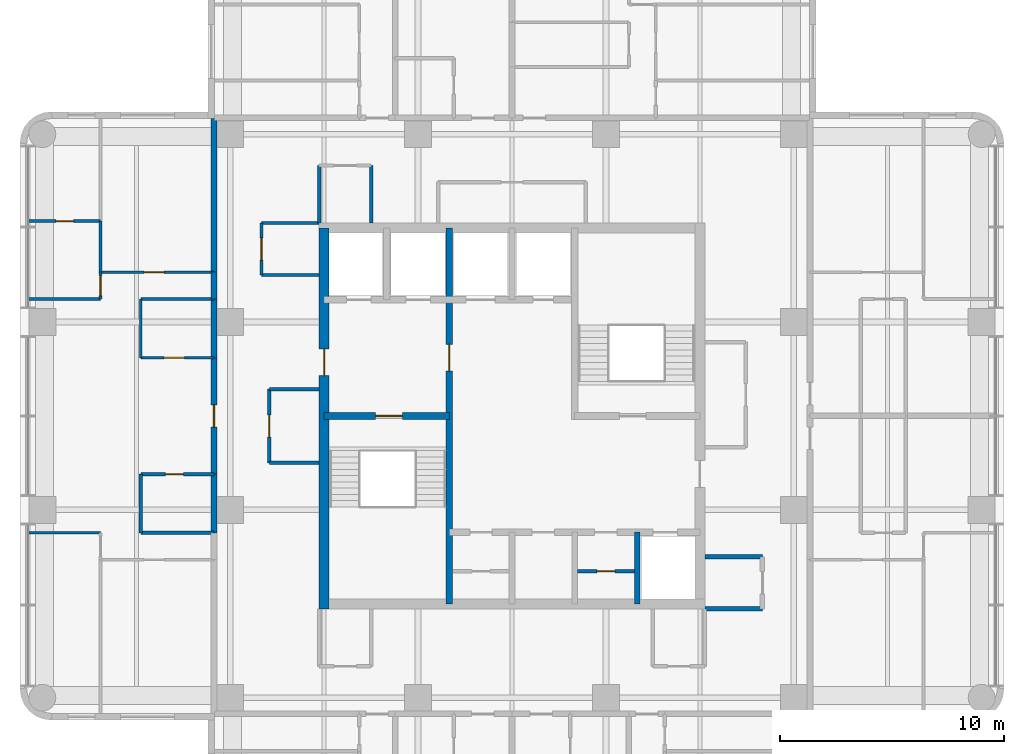
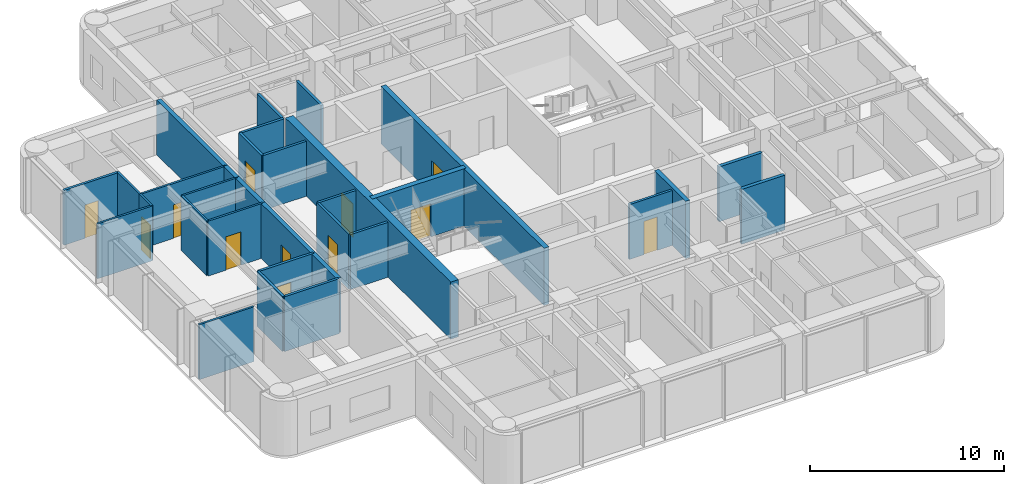
# One storey, part 5 of 10: 32 walls, 12 doors, 12 openings.
"""IFC4 building model written with IfcOpenShell, lengths in metres."""

from ifc_helpers import new_model, si_unit, direction, frame, frame_2d, origin, place, context, subcontext, project, spatial, rectangle, extrude, material, layer, layer_set, type_object, element, fill, save


model = new_model("IFC4")

# Units and contexts
model_context = context("Model", 3, precision=1e-05, world=origin(), true_north=direction((0.0, 1.0)))
body_context = subcontext(model_context, "Body", "Model", "MODEL_VIEW")
ifc_project = project(units=[si_unit("LENGTHUNIT", "METRE"), si_unit("AREAUNIT", "SQUARE_METRE"), si_unit("VOLUMEUNIT", "CUBIC_METRE"), si_unit("PLANEANGLEUNIT", "RADIAN"), si_unit("MASSUNIT", "GRAM", prefix="KILO")], contexts=[model_context])

# Site, building, storey
site_placement = place(None, origin())
site = spatial("IfcSite", under=ifc_project, at=site_placement, CompositionType="ELEMENT")
building_placement = place(site_placement, origin())
building = spatial("IfcBuilding", under=site, at=building_placement, Name="Torre Alcanfor", CompositionType="ELEMENT")
storey_placement = place(building_placement, frame((0.0, 0.0, 279.300048828125)))
storey = spatial("IfcBuildingStorey", under=building, at=storey_placement, Name="L73", CompositionType="ELEMENT", Elevation=279.300048828125)

# Wall, opening, door
ifc_material_1 = material(Name="Concrete block masonry, hollow blocks NMX-C-404 9 MPa", Category="masonry")
ifc_layer_1 = layer(ifc_material_1, 0.25)
ifc_layer_set_1 = layer_set([ifc_layer_1], Name="Apartment entrance wall 250 EI 60")
wall_type_1 = type_object("IfcWallType", Name="Apartment entrance wall 250 EI 60", PredefinedType="PARTITIONING", material=ifc_layer_set_1)
wall_1_placement = place(storey_placement, frame((16.074951171875, 26.800048828125, 0.0), z_axis=(0.0, 0.0, 1.0), x_axis=(0.0, 1.0, 0.0)))
wall_1 = element("IfcWall", 1, at=wall_1_placement, inside=storey, type_object=wall_type_1, Name="Partition L73-CORR / L73-WX-ZAG", PredefinedType="PARTITIONING", context=body_context, shape_type="SweptSolid", body=[
    extrude(rectangle(XDim=5.199951171875, YDim=0.25, at=frame_2d((2.60009765625, 0.0))), origin(), (0.0, 0.0, 1.0), 3.449951171875),
])
opening_1_placement = place(wall_1_placement, frame((2.10009765625, 0.0, 0.0)))
opening_1 = element("IfcOpeningElement", 2, at=opening_1_placement, cuts=wall_1, Name="Opening D-A1", PredefinedType="OPENING", context=body_context, shape_type="SweptSolid", body=[
    extrude(rectangle(XDim=1.0, YDim=2.10009765625, at=frame_2d((0.5, 1.050048828125))), frame((0.0, 0.135009765625, 0.0), z_axis=(0.0, -1.0, 0.0), x_axis=(1.0, 0.0, 0.0)), (0.0, 0.0, 1.0), 0.27001953125),
])
ifc_material_2 = material(Name="Galvanised steel sheet ASTM A653", Category="steel")
door_type_1 = type_object("IfcDoorType", Name="Apartment entrance door FD60 1000x2100", OperationType="SINGLE_SWING_LEFT", PredefinedType="DOOR", material=ifc_material_2)
door_1_placement = place(opening_1_placement, origin())
door_1 = element("IfcDoor", 3, at=door_1_placement, inside=storey, type_object=door_type_1, Name="Apartment entrance L73-WX", OperationType="SINGLE_SWING_LEFT", OverallHeight=2.10009765625, OverallWidth=1.0, PredefinedType="DOOR", context=body_context, shape_type="SweptSolid", body=[
    extrude(rectangle(XDim=1.0, YDim=2.10009765625, at=frame_2d((0.5, 1.050048828125))), frame((0.0, 0.02490234375, 0.0), z_axis=(0.0, -1.0, 0.0), x_axis=(1.0, 0.0, 0.0)), (0.0, 0.0, 1.0), 0.050048828125),
])
fill(opening_1, door_1)

# Walls
wall_2_placement = place(storey_placement, frame((16.074951171875, 24.1708984375, 0.0), z_axis=(0.0, 0.0, 1.0), x_axis=(0.0, 1.0, 0.0)))
element("IfcWall", 4, at=wall_2_placement, inside=storey, type_object=wall_type_1, Name="Partition L73-CORR / L73-WX-BATH2", PredefinedType="PARTITIONING", context=body_context, shape_type="SweptSolid", body=[
    extrude(rectangle(XDim=2.629150390625, YDim=0.25, at=frame_2d((1.314453125, 0.0))), origin(), (0.0, 0.0, 1.0), 3.449951171875),
])
wall_3_placement = place(storey_placement, frame((16.074951171875, 32.0, 0.0), z_axis=(0.0, 0.0, 1.0), x_axis=(0.0, 1.0, 0.0)))
element("IfcWall", 5, at=wall_3_placement, inside=storey, type_object=wall_type_1, Name="Partition L73-CORR / L73-WX-KITCHEN", PredefinedType="PARTITIONING", context=body_context, shape_type="SweptSolid", body=[
    extrude(rectangle(XDim=2.62890625, YDim=0.25, at=frame_2d((1.314453125, 0.0))), origin(), (0.0, 0.0, 1.0), 3.449951171875),
])
wall_4_placement = place(storey_placement, frame((16.074951171875, 34.62890625, 0.0), z_axis=(0.0, 0.0, 1.0), x_axis=(0.0, 1.0, 0.0)))
element("IfcWall", 6, at=wall_4_placement, inside=storey, type_object=wall_type_1, Name="Partition L73-CORR / L73-WX-LIVING", PredefinedType="PARTITIONING", context=body_context, shape_type="SweptSolid", body=[
    extrude(rectangle(XDim=1.2001953125, YDim=0.25, at=frame_2d((0.60009765625, 0.0))), origin(), (0.0, 0.0, 1.0), 3.449951171875),
])
wall_5_placement = place(storey_placement, frame((16.074951171875, 35.8291015625, 0.0), z_axis=(0.0, 0.0, 1.0), x_axis=(0.0, 1.0, 0.0)))
element("IfcWall", 7, at=wall_5_placement, inside=storey, type_object=wall_type_1, Name="Partition L73-CORR / L73-WX-BED3", PredefinedType="PARTITIONING", context=body_context, shape_type="SweptSolid", body=[
    extrude(rectangle(XDim=6.870849609375, YDim=0.25, at=frame_2d((3.435546875, 0.0))), origin(), (0.0, 0.0, 1.0), 3.449951171875),
])

# Wall, opening, door
ifc_material_3 = material(Name="Gypsum board on steel studs", Category="steel")
ifc_layer_2 = layer(ifc_material_3, 0.1201171875)
ifc_layer_set_2 = layer_set([ifc_layer_2], Name="Apartment partition 120")
wall_type_2 = type_object("IfcWallType", Name="Apartment partition 120", PredefinedType="PARTITIONING", material=ifc_layer_set_2)
wall_6_placement = place(storey_placement, frame((16.074951171875, 32.0, 0.0), z_axis=(0.0, 0.0, 1.0), x_axis=(-1.0, 0.0, 0.0)))
wall_6 = element("IfcWall", 8, at=wall_6_placement, inside=storey, type_object=wall_type_2, Name="Partition L73-WX-ZAG / L73-WX-KITCHEN", PredefinedType="PARTITIONING", context=body_context, shape_type="SweptSolid", body=[
    extrude(rectangle(XDim=3.27490234375, YDim=0.1201171875, at=frame_2d((1.637451171875, 0.0))), origin(), (0.0, 0.0, 1.0), 3.449951171875),
])
opening_2_placement = place(wall_6_placement, frame((1.324951171875, 0.0, 0.0)))
opening_2 = element("IfcOpeningElement", 9, at=opening_2_placement, cuts=wall_6, Name="Opening D-R1", PredefinedType="OPENING", context=body_context, shape_type="SweptSolid", body=[
    extrude(rectangle(XDim=0.89990234375, YDim=2.10009765625, at=frame_2d((0.449951171875, 1.050048828125))), frame((0.0, 0.070068359375, 0.0), z_axis=(0.0, -1.0, 0.0), x_axis=(1.0, 0.0, 0.0)), (0.0, 0.0, 1.0), 0.14013671875),
])
ifc_material_4 = material(Name="Timber", Category="wood")
door_type_2 = type_object("IfcDoorType", Name="Internal door 900x2100", OperationType="SINGLE_SWING_LEFT", PredefinedType="DOOR", material=ifc_material_4)
door_2_placement = place(opening_2_placement, frame((0.89990234375, 0.0, 0.0), z_axis=(0.0, 0.0, 1.0), x_axis=(-1.0, 0.0, 0.0)))
door_2 = element("IfcDoor", 10, at=door_2_placement, inside=storey, type_object=door_type_2, Name="Door L73-WX kitchen", OperationType="SINGLE_SWING_LEFT", OverallHeight=2.10009765625, OverallWidth=0.89990234375, PredefinedType="DOOR", context=body_context, shape_type="SweptSolid", body=[
    extrude(rectangle(XDim=0.89990234375, YDim=2.10009765625, at=frame_2d((0.449951171875, 1.050048828125))), frame((0.0, 0.025146484375, 0.0), z_axis=(0.0, -1.0, 0.0), x_axis=(1.0, 0.0, 0.0)), (0.0, 0.0, 1.0), 0.050048828125),
])
fill(opening_2, door_2)

# Walls
wall_7_placement = place(storey_placement, frame((16.074951171875, 34.62890625, 0.0), z_axis=(0.0, 0.0, 1.0), x_axis=(-1.0, 0.0, 0.0)))
element("IfcWall", 11, at=wall_7_placement, inside=storey, type_object=wall_type_2, Name="Partition L73-WX-KITCHEN / L73-WX-LIVING", PredefinedType="PARTITIONING", context=body_context, shape_type="SweptSolid", body=[
    extrude(rectangle(XDim=3.27490234375, YDim=0.1201171875, at=frame_2d((1.637451171875, 0.0))), origin(), (0.0, 0.0, 1.0), 3.449951171875),
])
wall_8_placement = place(storey_placement, frame((12.800048828125, 34.62890625, 0.0), z_axis=(0.0, 0.0, 1.0), x_axis=(0.0, -1.0, 0.0)))
element("IfcWall", 12, at=wall_8_placement, inside=storey, type_object=wall_type_2, Name="Partition L73-WX-KITCHEN / L73-WX-LIVING", PredefinedType="PARTITIONING", context=body_context, shape_type="SweptSolid", body=[
    extrude(rectangle(XDim=2.62890625, YDim=0.1201171875, at=frame_2d((1.314453125, 0.0))), origin(), (0.0, 0.0, 1.0), 3.449951171875),
])
wall_9_placement = place(storey_placement, frame((11.0, 24.1708984375, 0.0), z_axis=(0.0, 0.0, 1.0), x_axis=(-1.0, 0.0, 0.0)))
element("IfcWall", 13, at=wall_9_placement, inside=storey, type_object=wall_type_2, Name="Partition L73-WX-LIVING / L73-WX-MASTER", PredefinedType="PARTITIONING", context=body_context, shape_type="SweptSolid", body=[
    extrude(rectangle(XDim=3.25, YDim=0.1201171875, at=frame_2d((1.625, 0.0))), origin(), (0.0, 0.0, 1.0), 3.449951171875),
])

# Wall, opening, door
wall_10_placement = place(storey_placement, frame((11.0, 35.8291015625, 0.0), z_axis=(0.0, 0.0, 1.0), x_axis=(1.0, 0.0, 0.0)))
wall_10 = element("IfcWall", 14, at=wall_10_placement, inside=storey, type_object=wall_type_2, Name="Partition L73-WX-LIVING / L73-WX-BED3", PredefinedType="PARTITIONING", context=body_context, shape_type="SweptSolid", body=[
    extrude(rectangle(XDim=5.074951171875, YDim=0.1201171875, at=frame_2d((2.53759765625, 0.0))), origin(), (0.0, 0.0, 1.0), 3.449951171875),
])
opening_3_placement = place(wall_10_placement, frame((1.949951171875, 0.0, 0.0)))
opening_3 = element("IfcOpeningElement", 15, at=opening_3_placement, cuts=wall_10, Name="Opening D-R1", PredefinedType="OPENING", context=body_context, shape_type="SweptSolid", body=[
    extrude(rectangle(XDim=0.89990234375, YDim=2.10009765625, at=frame_2d((0.449951171875, 1.050048828125))), frame((0.0, 0.070068359375, 0.0), z_axis=(0.0, -1.0, 0.0), x_axis=(1.0, 0.0, 0.0)), (0.0, 0.0, 1.0), 0.14013671875),
])
door_3_placement = place(opening_3_placement, origin())
door_3 = element("IfcDoor", 16, at=door_3_placement, inside=storey, type_object=door_type_2, Name="Door L73-WX bed3", OperationType="SINGLE_SWING_LEFT", OverallHeight=2.10009765625, OverallWidth=0.89990234375, PredefinedType="DOOR", context=body_context, shape_type="SweptSolid", body=[
    extrude(rectangle(XDim=0.89990234375, YDim=2.10009765625, at=frame_2d((0.449951171875, 1.050048828125))), frame((0.0, 0.02490234375, 0.0), z_axis=(0.0, -1.0, 0.0), x_axis=(1.0, 0.0, 0.0)), (0.0, 0.0, 1.0), 0.050048828125),
])
fill(opening_3, door_3)

# Wall
wall_11_placement = place(storey_placement, frame((7.75, 34.62890625, 0.0), z_axis=(0.0, 0.0, 1.0), x_axis=(1.0, 0.0, 0.0)))
element("IfcWall", 17, at=wall_11_placement, inside=storey, type_object=wall_type_2, Name="Partition L73-WX-LIVING / L73-WX-BED1", PredefinedType="PARTITIONING", context=body_context, shape_type="SweptSolid", body=[
    extrude(rectangle(XDim=3.25, YDim=0.1201171875, at=frame_2d((1.625, 0.0))), origin(), (0.0, 0.0, 1.0), 3.449951171875),
])

# Wall, opening, door
wall_12_placement = place(storey_placement, frame((11.0, 34.62890625, 0.0), z_axis=(0.0, 0.0, 1.0), x_axis=(0.0, 1.0, 0.0)))
wall_12 = element("IfcWall", 18, at=wall_12_placement, inside=storey, type_object=wall_type_2, Name="Partition L73-WX-LIVING / L73-WX-BED1", PredefinedType="PARTITIONING", context=body_context, shape_type="SweptSolid", body=[
    extrude(rectangle(XDim=1.2001953125, YDim=0.1201171875, at=frame_2d((0.60009765625, 0.0))), origin(), (0.0, 0.0, 1.0), 3.449951171875),
])
opening_4_placement = place(wall_12_placement, frame((0.15087890625, 0.0, 0.0)))
opening_4 = element("IfcOpeningElement", 19, at=opening_4_placement, cuts=wall_12, Name="Opening D-R1", PredefinedType="OPENING", context=body_context, shape_type="SweptSolid", body=[
    extrude(rectangle(XDim=0.89990234375, YDim=2.10009765625, at=frame_2d((0.449951171875, 1.050048828125))), frame((0.0, 0.070068359375, 0.0), z_axis=(0.0, -1.0, 0.0), x_axis=(1.0, 0.0, 0.0)), (0.0, 0.0, 1.0), 0.14013671875),
])
door_4_placement = place(opening_4_placement, origin())
door_4 = element("IfcDoor", 20, at=door_4_placement, inside=storey, type_object=door_type_2, Name="Door L73-WX bed1", OperationType="SINGLE_SWING_LEFT", OverallHeight=2.10009765625, OverallWidth=0.89990234375, PredefinedType="DOOR", context=body_context, shape_type="SweptSolid", body=[
    extrude(rectangle(XDim=0.89990234375, YDim=2.10009765625, at=frame_2d((0.449951171875, 1.050048828125))), frame((0.0, 0.02490234375, 0.0), z_axis=(0.0, -1.0, 0.0), x_axis=(1.0, 0.0, 0.0)), (0.0, 0.0, 1.0), 0.050048828125),
])
fill(opening_4, door_4)

# Wall
wall_13_placement = place(storey_placement, frame((11.0, 38.114013671875, 0.0), z_axis=(0.0, 0.0, 1.0), x_axis=(0.0, -1.0, 0.0)))
element("IfcWall", 21, at=wall_13_placement, inside=storey, type_object=wall_type_2, Name="Partition L73-WX-BED3 / L73-WX-BED1", PredefinedType="PARTITIONING", context=body_context, shape_type="SweptSolid", body=[
    extrude(rectangle(XDim=2.284912109375, YDim=0.1201171875, at=frame_2d((1.142578125, 0.0))), origin(), (0.0, 0.0, 1.0), 3.449951171875),
])

# Wall, opening, door
ifc_material_5 = material(Name="Concrete f'c 70 MPa", Category="concrete")
ifc_layer_3 = layer(ifc_material_5, 0.300048828125)
ifc_layer_set_3 = layer_set([ifc_layer_3], Name="Core inner wall 300 f'c70")
wall_type_3 = type_object("IfcWallType", Name="Core inner wall 300 f'c70", PredefinedType="SHEAR", material=ifc_layer_set_3)
wall_14_placement = place(storey_placement, frame((26.60009765625, 21.0, 0.0), z_axis=(0.0, 0.0, 1.0), x_axis=(0.0, 1.0, 0.0)))
wall_14 = element("IfcWall", 22, at=wall_14_placement, inside=storey, type_object=wall_type_3, Name="Core wall X266 L73", PredefinedType="SHEAR", context=body_context, shape_type="SweptSolid", body=[
    extrude(rectangle(XDim=16.800048828125, YDim=0.300048828125, at=frame_2d((8.39990234375, 0.0))), origin(), (0.0, 0.0, 1.0), 3.599853515625),
])
opening_5_placement = place(wall_14_placement, frame((10.39990234375, 0.0, 0.0)))
opening_5 = element("IfcOpeningElement", 23, at=opening_5_placement, cuts=wall_14, Name="Opening D-L1", PredefinedType="OPENING", context=body_context, shape_type="SweptSolid", body=[
    extrude(rectangle(XDim=1.199951171875, YDim=2.10009765625, at=frame_2d((0.60009765625, 1.050048828125))), frame((0.0, 0.159912109375, 0.0), z_axis=(0.0, -1.0, 0.0), x_axis=(1.0, 0.0, 0.0)), (0.0, 0.0, 1.0), 0.320068359375),
])
ifc_material_6 = material(Name="Galvanised steel sheet ASTM A653", Category="steel")
door_type_3 = type_object("IfcDoorType", Name="Lobby door FD120 1200x2100", OperationType="SINGLE_SWING_LEFT", PredefinedType="DOOR", material=ifc_material_6)
door_5_placement = place(opening_5_placement, origin())
door_5 = element("IfcDoor", 24, at=door_5_placement, inside=storey, type_object=door_type_3, Name="Lift lobby door L73", OperationType="SINGLE_SWING_LEFT", OverallHeight=2.10009765625, OverallWidth=1.199951171875, PredefinedType="DOOR", context=body_context, shape_type="SweptSolid", body=[
    extrude(rectangle(XDim=1.199951171875, YDim=2.10009765625, at=frame_2d((0.60009765625, 1.050048828125))), frame((0.0, 0.02490234375, 0.0), z_axis=(0.0, -1.0, 0.0), x_axis=(1.0, 0.0, 0.0)), (0.0, 0.0, 1.0), 0.050048828125),
])
fill(opening_5, door_5)

wall_15_placement = place(storey_placement, frame((21.0, 29.39990234375, 0.0), z_axis=(0.0, 0.0, 1.0), x_axis=(1.0, 0.0, 0.0)))
wall_15 = element("IfcWall", 25, at=wall_15_placement, inside=storey, type_object=wall_type_3, Name="Core wall Y294W L73", PredefinedType="SHEAR", context=body_context, shape_type="SweptSolid", body=[
    extrude(rectangle(XDim=5.60009765625, YDim=0.300048828125, at=frame_2d((2.800048828125, 0.0))), origin(), (0.0, 0.0, 1.0), 3.599853515625),
])
opening_6_placement = place(wall_15_placement, frame((2.300048828125, 0.0, 0.0)))
opening_6 = element("IfcOpeningElement", 26, at=opening_6_placement, cuts=wall_15, Name="Opening D-S2", PredefinedType="OPENING", context=body_context, shape_type="SweptSolid", body=[
    extrude(rectangle(XDim=1.199951171875, YDim=2.10009765625, at=frame_2d((0.60009765625, 1.050048828125))), frame((0.0, 0.159912109375, 0.0), z_axis=(0.0, -1.0, 0.0), x_axis=(1.0, 0.0, 0.0)), (0.0, 0.0, 1.0), 0.320068359375),
])
ifc_material_7 = material(Name="Galvanised steel sheet ASTM A653", Category="steel")
door_type_4 = type_object("IfcDoorType", Name="Stair enclosure door FD120 1200x2100", OperationType="SINGLE_SWING_LEFT", PredefinedType="DOOR", material=ifc_material_7)
door_6_placement = place(opening_6_placement, frame((1.199951171875, 0.0, 0.0), z_axis=(0.0, 0.0, 1.0), x_axis=(-1.0, 0.0, 0.0)))
door_6 = element("IfcDoor", 27, at=door_6_placement, inside=storey, type_object=door_type_4, Name="Stair S1 door L73", OperationType="SINGLE_SWING_LEFT", OverallHeight=2.10009765625, OverallWidth=1.199951171875, PredefinedType="DOOR", context=body_context, shape_type="SweptSolid", body=[
    extrude(rectangle(XDim=1.199951171875, YDim=2.10009765625, at=frame_2d((0.599853515625, 1.050048828125))), frame((0.0, 0.025146484375, 0.0), z_axis=(0.0, -1.0, 0.0), x_axis=(1.0, 0.0, 0.0)), (0.0, 0.0, 1.0), 0.050048828125),
])
fill(opening_6, door_6)

# Wall
ifc_material_8 = material(Name="Concrete f'c 70 MPa", Category="concrete")
ifc_layer_4 = layer(ifc_material_8, 0.25)
ifc_layer_set_4 = layer_set([ifc_layer_4], Name="Core shaft wall 250 f'c70")
wall_type_4 = type_object("IfcWallType", Name="Core shaft wall 250 f'c70", PredefinedType="SHEAR", material=ifc_layer_set_4)
wall_16_placement = place(storey_placement, frame((35.0, 21.0, 0.0), z_axis=(0.0, 0.0, 1.0), x_axis=(0.0, 1.0, 0.0)))
element("IfcWall", 28, at=wall_16_placement, inside=storey, type_object=wall_type_4, Name="Core wall X350S L73", PredefinedType="SHEAR", context=body_context, shape_type="SweptSolid", body=[
    extrude(rectangle(XDim=3.199951171875, YDim=0.25, at=frame_2d((1.60009765625, 0.0))), origin(), (0.0, 0.0, 1.0), 3.599853515625),
])

# Wall, opening, door
ifc_material_9 = material(Name="Concrete f'c 70 MPa", Category="concrete")
ifc_layer_5 = layer(ifc_material_9, 0.449951171875)
ifc_layer_set_5 = layer_set([ifc_layer_5], Name="Core wall 450 f'c70")
wall_type_5 = type_object("IfcWallType", Name="Core wall 450 f'c70", PredefinedType="SHEAR", material=ifc_layer_set_5)
wall_17_placement = place(storey_placement, frame((21.0, 37.800048828125, 0.0), z_axis=(0.0, 0.0, 1.0), x_axis=(0.0, -1.0, 0.0)))
wall_17 = element("IfcWall", 29, at=wall_17_placement, inside=storey, type_object=wall_type_5, Name="Core wall OUT-W L73", PredefinedType="SHEAR", context=body_context, shape_type="SweptSolid", body=[
    extrude(rectangle(XDim=17.025146484375, YDim=0.449951171875, at=frame_2d((8.5126953125, 0.0))), origin(), (0.0, 0.0, 1.0), 3.599853515625),
])
opening_7_placement = place(wall_17_placement, frame((5.39990234375, 0.0, 0.0)))
opening_7 = element("IfcOpeningElement", 30, at=opening_7_placement, cuts=wall_17, Name="Opening D-L1", PredefinedType="OPENING", context=body_context, shape_type="SweptSolid", body=[
    extrude(rectangle(XDim=1.199951171875, YDim=2.10009765625, at=frame_2d((0.60009765625, 1.050048828125))), frame((0.0, 0.23486328125, 0.0), z_axis=(0.0, -1.0, 0.0), x_axis=(1.0, 0.0, 0.0)), (0.0, 0.0, 1.0), 0.469970703125),
])
door_7_placement = place(opening_7_placement, origin())
door_7 = element("IfcDoor", 31, at=door_7_placement, inside=storey, type_object=door_type_3, Name="Firefighting lobby door L73", OperationType="SINGLE_SWING_RIGHT", OverallHeight=2.10009765625, OverallWidth=1.199951171875, PredefinedType="DOOR", context=body_context, shape_type="SweptSolid", body=[
    extrude(rectangle(XDim=1.199951171875, YDim=2.10009765625, at=frame_2d((0.60009765625, 1.050048828125))), frame((0.0, 0.02490234375, 0.0), z_axis=(0.0, -1.0, 0.0), x_axis=(1.0, 0.0, 0.0)), (0.0, 0.0, 1.0), 0.050048828125),
])
fill(opening_7, door_7)

# Walls
ifc_material_10 = material(Name="Concrete block masonry, hollow blocks NMX-C-404 9 MPa", Category="masonry")
ifc_layer_6 = layer(ifc_material_10, 0.199951171875)
ifc_layer_set_6 = layer_set([ifc_layer_6], Name="Plant room wall 200 EI 60")
wall_type_6 = type_object("IfcWallType", Name="Plant room wall 200 EI 60", PredefinedType="PARTITIONING", material=ifc_layer_set_6)
for number, where, z_axis, x_axis, name in (
    (32, (38.02490234375, 20.77490234375, 0.0), (0.0, 0.0, 1.0), (1.0, 0.0, 0.0), "Partition L73-CORR / L73-G03"),
    (33, (40.60009765625, 23.10009765625, 0.0), (0.0, 0.0, 1.0), (-1.0, 0.0, 0.0), "Partition L73-CORR / L73-G03"),
):
    element("IfcWall", number, at=place(storey_placement, frame(where, z_axis=z_axis, x_axis=x_axis)), inside=storey, type_object=wall_type_6, Name=name, PredefinedType="PARTITIONING", context=body_context, shape_type="SweptSolid", body=[
        extrude(rectangle(XDim=2.5751953125, YDim=0.199951171875, at=frame_2d((1.28759765625, 0.0))), origin(), (0.0, 0.0, 1.0), 3.449951171875),
    ])
ifc_material_11 = material(Name="Concrete block masonry, hollow blocks NMX-C-404 9 MPa", Category="masonry")
ifc_layer_7 = layer(ifc_material_11, 0.14990234375)
ifc_layer_set_7 = layer_set([ifc_layer_7], Name="Residents' room partition 150")
wall_type_7 = type_object("IfcWallType", Name="Residents' room partition 150", PredefinedType="PARTITIONING", material=ifc_layer_set_7)
for number, where, z_axis, x_axis, name in (
    (34, (23.10009765625, 38.02490234375, 0.0), (0.0, 0.0, 1.0), (0.0, 1.0, 0.0), "Partition L73-CORR / L73-G01"),
    (35, (20.77490234375, 40.60009765625, 0.0), (0.0, 0.0, 1.0), (0.0, -1.0, 0.0), "Partition L73-CORR / L73-G01"),
):
    element("IfcWall", number, at=place(storey_placement, frame(where, z_axis=z_axis, x_axis=x_axis)), inside=storey, type_object=wall_type_7, Name=name, PredefinedType="PARTITIONING", context=body_context, shape_type="SweptSolid", body=[
        extrude(rectangle(XDim=2.5751953125, YDim=0.14990234375, at=frame_2d((1.28759765625, 0.0))), origin(), (0.0, 0.0, 1.0), 3.449951171875),
    ])
wall_18_placement = place(storey_placement, frame((20.77490234375, 30.60009765625, 0.0), z_axis=(0.0, 0.0, 1.0), x_axis=(-1.0, 0.0, 0.0)))
element("IfcWall", 36, at=wall_18_placement, inside=storey, type_object=wall_type_7, Name="Partition L73-CORR / L73-G07", PredefinedType="PARTITIONING", context=body_context, shape_type="SweptSolid", body=[
    extrude(rectangle(XDim=2.224853515625, YDim=0.14990234375, at=frame_2d((1.1123046875, 0.0))), origin(), (0.0, 0.0, 1.0), 3.449951171875),
])

# Wall, opening, door
wall_19_placement = place(storey_placement, frame((18.550048828125, 30.60009765625, 0.0), z_axis=(0.0, 0.0, 1.0), x_axis=(0.0, -1.0, 0.0)))
wall_19 = element("IfcWall", 37, at=wall_19_placement, inside=storey, type_object=wall_type_7, Name="Partition L73-CORR / L73-G07", PredefinedType="PARTITIONING", context=body_context, shape_type="SweptSolid", body=[
    extrude(rectangle(XDim=3.300048828125, YDim=0.14990234375, at=frame_2d((1.64990234375, 0.0))), origin(), (0.0, 0.0, 1.0), 3.449951171875),
])
opening_8_placement = place(wall_19_placement, frame((1.14990234375, 0.0, 0.0)))
opening_8 = element("IfcOpeningElement", 38, at=opening_8_placement, cuts=wall_19, Name="Opening D-M1", PredefinedType="OPENING", context=body_context, shape_type="SweptSolid", body=[
    extrude(rectangle(XDim=1.0, YDim=2.10009765625, at=frame_2d((0.5, 1.050048828125))), frame((0.0, 0.0849609375, 0.0), z_axis=(0.0, -1.0, 0.0), x_axis=(1.0, 0.0, 0.0)), (0.0, 0.0, 1.0), 0.169921875),
])
ifc_material_12 = material(Name="Timber", Category="wood")
door_type_5 = type_object("IfcDoorType", Name="Residents' room door 1000x2100", OperationType="SINGLE_SWING_LEFT", PredefinedType="DOOR", material=ifc_material_12)
door_8_placement = place(opening_8_placement, origin())
door_8 = element("IfcDoor", 39, at=door_8_placement, inside=storey, type_object=door_type_5, Name="Door L73-G07 parcel room", OperationType="SINGLE_SWING_LEFT", OverallHeight=2.10009765625, OverallWidth=1.0, PredefinedType="DOOR", context=body_context, shape_type="SweptSolid", body=[
    extrude(rectangle(XDim=1.0, YDim=2.10009765625, at=frame_2d((0.5, 1.050048828125))), frame((0.0, 0.02490234375, 0.0), z_axis=(0.0, -1.0, 0.0), x_axis=(1.0, 0.0, 0.0)), (0.0, 0.0, 1.0), 0.050048828125),
])
fill(opening_8, door_8)

# Walls
wall_20_placement = place(storey_placement, frame((18.550048828125, 27.300048828125, 0.0), z_axis=(0.0, 0.0, 1.0), x_axis=(1.0, 0.0, 0.0)))
element("IfcWall", 40, at=wall_20_placement, inside=storey, type_object=wall_type_7, Name="Partition L73-CORR / L73-G07", PredefinedType="PARTITIONING", context=body_context, shape_type="SweptSolid", body=[
    extrude(rectangle(XDim=2.224853515625, YDim=0.14990234375, at=frame_2d((1.1123046875, 0.0))), origin(), (0.0, 0.0, 1.0), 3.449951171875),
])
wall_21_placement = place(storey_placement, frame((20.77490234375, 38.02490234375, 0.0), z_axis=(0.0, 0.0, 1.0), x_axis=(-1.0, 0.0, 0.0)))
element("IfcWall", 41, at=wall_21_placement, inside=storey, type_object=wall_type_7, Name="Partition L73-CORR / L73-G08", PredefinedType="PARTITIONING", context=body_context, shape_type="SweptSolid", body=[
    extrude(rectangle(XDim=2.574951171875, YDim=0.14990234375, at=frame_2d((1.28759765625, 0.0))), origin(), (0.0, 0.0, 1.0), 3.449951171875),
])

# Wall, opening, door
wall_22_placement = place(storey_placement, frame((18.199951171875, 38.02490234375, 0.0), z_axis=(0.0, 0.0, 1.0), x_axis=(0.0, -1.0, 0.0)))
wall_22 = element("IfcWall", 42, at=wall_22_placement, inside=storey, type_object=wall_type_7, Name="Partition L73-CORR / L73-G08", PredefinedType="PARTITIONING", context=body_context, shape_type="SweptSolid", body=[
    extrude(rectangle(XDim=2.324951171875, YDim=0.14990234375, at=frame_2d((1.16259765625, 0.0))), origin(), (0.0, 0.0, 1.0), 3.449951171875),
])
opening_9_placement = place(wall_22_placement, frame((0.66259765625, 0.0, 0.0)))
opening_9 = element("IfcOpeningElement", 43, at=opening_9_placement, cuts=wall_22, Name="Opening D-M1", PredefinedType="OPENING", context=body_context, shape_type="SweptSolid", body=[
    extrude(rectangle(XDim=1.0, YDim=2.10009765625, at=frame_2d((0.5, 1.050048828125))), frame((0.0, 0.0849609375, 0.0), z_axis=(0.0, -1.0, 0.0), x_axis=(1.0, 0.0, 0.0)), (0.0, 0.0, 1.0), 0.169921875),
])
door_9_placement = place(opening_9_placement, origin())
door_9 = element("IfcDoor", 44, at=door_9_placement, inside=storey, type_object=door_type_5, Name="Door L73-G08 parcel room", OperationType="SINGLE_SWING_LEFT", OverallHeight=2.10009765625, OverallWidth=1.0, PredefinedType="DOOR", context=body_context, shape_type="SweptSolid", body=[
    extrude(rectangle(XDim=1.0, YDim=2.10009765625, at=frame_2d((0.5, 1.050048828125))), frame((0.0, 0.02490234375, 0.0), z_axis=(0.0, -1.0, 0.0), x_axis=(1.0, 0.0, 0.0)), (0.0, 0.0, 1.0), 0.050048828125),
])
fill(opening_9, door_9)

# Wall
wall_23_placement = place(storey_placement, frame((18.199951171875, 35.699951171875, 0.0), z_axis=(0.0, 0.0, 1.0), x_axis=(1.0, 0.0, 0.0)))
element("IfcWall", 45, at=wall_23_placement, inside=storey, type_object=wall_type_7, Name="Partition L73-CORR / L73-G08", PredefinedType="PARTITIONING", context=body_context, shape_type="SweptSolid", body=[
    extrude(rectangle(XDim=2.574951171875, YDim=0.14990234375, at=frame_2d((1.28759765625, 0.0))), origin(), (0.0, 0.0, 1.0), 3.449951171875),
])

# Wall, opening, door
wall_24_placement = place(storey_placement, frame((32.324951171875, 22.449951171875, 0.0), z_axis=(0.0, 0.0, 1.0), x_axis=(1.0, 0.0, 0.0)))
wall_24 = element("IfcWall", 46, at=wall_24_placement, inside=storey, type_object=wall_type_7, Name="Partition L73-PA3R / L73-PA3C", PredefinedType="PARTITIONING", context=body_context, shape_type="SweptSolid", body=[
    extrude(rectangle(XDim=2.550048828125, YDim=0.14990234375, at=frame_2d((1.27490234375, 0.0))), origin(), (0.0, 0.0, 1.0), 3.449951171875),
])
opening_10_placement = place(wall_24_placement, frame((0.875, 0.0, 0.0)))
opening_10 = element("IfcOpeningElement", 47, at=opening_10_placement, cuts=wall_24, Name="Opening D-R2", PredefinedType="OPENING", context=body_context, shape_type="SweptSolid", body=[
    extrude(rectangle(XDim=0.800048828125, YDim=2.10009765625, at=frame_2d((0.39990234375, 1.050048828125))), frame((0.0, 0.0849609375, 0.0), z_axis=(0.0, -1.0, 0.0), x_axis=(1.0, 0.0, 0.0)), (0.0, 0.0, 1.0), 0.169921875),
])
ifc_material_13 = material(Name="Timber", Category="wood")
door_type_6 = type_object("IfcDoorType", Name="Bathroom door 800x2100", OperationType="SINGLE_SWING_LEFT", PredefinedType="DOOR", material=ifc_material_13)
door_10_placement = place(opening_10_placement, frame((0.800048828125, 0.0, 0.0), z_axis=(0.0, 0.0, 1.0), x_axis=(-1.0, 0.0, 0.0)))
door_10 = element("IfcDoor", 48, at=door_10_placement, inside=storey, type_object=door_type_6, Name="Tools cupboard door L73", OperationType="SINGLE_SWING_RIGHT", OverallHeight=2.10009765625, OverallWidth=0.800048828125, PredefinedType="DOOR", context=body_context, shape_type="SweptSolid", body=[
    extrude(rectangle(XDim=0.800048828125, YDim=2.10009765625, at=frame_2d((0.400146484375, 1.050048828125))), frame((0.0, 0.025146484375, 0.0), z_axis=(0.0, -1.0, 0.0), x_axis=(1.0, 0.0, 0.0)), (0.0, 0.0, 1.0), 0.050048828125),
])
fill(opening_10, door_10)

ifc_material_14 = material(Name="Cement board on steel studs", Category="steel")
ifc_layer_8 = layer(ifc_material_14, 0.14990234375)
ifc_layer_set_8 = layer_set([ifc_layer_8], Name="Wet area partition 150")
wall_type_8 = type_object("IfcWallType", Name="Wet area partition 150", PredefinedType="PARTITIONING", material=ifc_layer_set_8)
wall_25_placement = place(storey_placement, frame((12.800048828125, 26.800048828125, 0.0), z_axis=(0.0, 0.0, 1.0), x_axis=(1.0, 0.0, 0.0)))
wall_25 = element("IfcWall", 49, at=wall_25_placement, inside=storey, type_object=wall_type_8, Name="Partition L73-WX-ZAG / L73-WX-BATH2", PredefinedType="PARTITIONING", context=body_context, shape_type="SweptSolid", body=[
    extrude(rectangle(XDim=3.27490234375, YDim=0.14990234375, at=frame_2d((1.637451171875, 0.0))), origin(), (0.0, 0.0, 1.0), 3.449951171875),
])
opening_11_placement = place(wall_25_placement, frame((1.10009765625, 0.0, 0.0)))
opening_11 = element("IfcOpeningElement", 50, at=opening_11_placement, cuts=wall_25, Name="Opening D-R2", PredefinedType="OPENING", context=body_context, shape_type="SweptSolid", body=[
    extrude(rectangle(XDim=0.800048828125, YDim=2.10009765625, at=frame_2d((0.39990234375, 1.050048828125))), frame((0.0, 0.0849609375, 0.0), z_axis=(0.0, -1.0, 0.0), x_axis=(1.0, 0.0, 0.0)), (0.0, 0.0, 1.0), 0.169921875),
])
door_11_placement = place(opening_11_placement, frame((0.800048828125, 0.0, 0.0), z_axis=(0.0, 0.0, 1.0), x_axis=(-1.0, 0.0, 0.0)))
door_11 = element("IfcDoor", 51, at=door_11_placement, inside=storey, type_object=door_type_6, Name="Door L73-WX bath2", OperationType="SINGLE_SWING_RIGHT", OverallHeight=2.10009765625, OverallWidth=0.800048828125, PredefinedType="DOOR", context=body_context, shape_type="SweptSolid", body=[
    extrude(rectangle(XDim=0.800048828125, YDim=2.10009765625, at=frame_2d((0.400146484375, 1.050048828125))), frame((0.0, 0.025146484375, 0.0), z_axis=(0.0, -1.0, 0.0), x_axis=(1.0, 0.0, 0.0)), (0.0, 0.0, 1.0), 0.050048828125),
])
fill(opening_11, door_11)

# Walls
wall_26_placement = place(storey_placement, frame((12.800048828125, 26.800048828125, 0.0), z_axis=(0.0, 0.0, 1.0), x_axis=(0.0, -1.0, 0.0)))
element("IfcWall", 52, at=wall_26_placement, inside=storey, type_object=wall_type_8, Name="Partition L73-WX-BATH2 / L73-WX-LIVING", PredefinedType="PARTITIONING", context=body_context, shape_type="SweptSolid", body=[
    extrude(rectangle(XDim=2.629150390625, YDim=0.14990234375, at=frame_2d((1.314453125, 0.0))), origin(), (0.0, 0.0, 1.0), 3.449951171875),
])
wall_27_placement = place(storey_placement, frame((12.800048828125, 24.1708984375, 0.0), z_axis=(0.0, 0.0, 1.0), x_axis=(1.0, 0.0, 0.0)))
element("IfcWall", 53, at=wall_27_placement, inside=storey, type_object=wall_type_8, Name="Partition L73-WX-BATH2 / L73-WX-LIVING", PredefinedType="PARTITIONING", context=body_context, shape_type="SweptSolid", body=[
    extrude(rectangle(XDim=3.27490234375, YDim=0.14990234375, at=frame_2d((1.637451171875, 0.0))), origin(), (0.0, 0.0, 1.0), 3.449951171875),
])

# Wall, opening, door
wall_28_placement = place(storey_placement, frame((7.75, 38.114013671875, 0.0), z_axis=(0.0, 0.0, 1.0), x_axis=(1.0, 0.0, 0.0)))
wall_28 = element("IfcWall", 54, at=wall_28_placement, inside=storey, type_object=wall_type_8, Name="Partition L73-WX-BATH1 / L73-WX-BED1", PredefinedType="PARTITIONING", context=body_context, shape_type="SweptSolid", body=[
    extrude(rectangle(XDim=3.25, YDim=0.14990234375, at=frame_2d((1.625, 0.0))), origin(), (0.0, 0.0, 1.0), 3.449951171875),
])
opening_12_placement = place(wall_28_placement, frame((1.25, 0.0, 0.0)))
opening_12 = element("IfcOpeningElement", 55, at=opening_12_placement, cuts=wall_28, Name="Opening D-R2", PredefinedType="OPENING", context=body_context, shape_type="SweptSolid", body=[
    extrude(rectangle(XDim=0.800048828125, YDim=2.10009765625, at=frame_2d((0.39990234375, 1.050048828125))), frame((0.0, 0.0849609375, 0.0), z_axis=(0.0, -1.0, 0.0), x_axis=(1.0, 0.0, 0.0)), (0.0, 0.0, 1.0), 0.169921875),
])
door_12_placement = place(opening_12_placement, frame((0.800048828125, 0.0, 0.0), z_axis=(0.0, 0.0, 1.0), x_axis=(-1.0, 0.0, 0.0)))
door_12 = element("IfcDoor", 56, at=door_12_placement, inside=storey, type_object=door_type_6, Name="Door L73-WX bath1", OperationType="SINGLE_SWING_LEFT", OverallHeight=2.10009765625, OverallWidth=0.800048828125, PredefinedType="DOOR", context=body_context, shape_type="SweptSolid", body=[
    extrude(rectangle(XDim=0.800048828125, YDim=2.10009765625, at=frame_2d((0.400146484375, 1.050048828125))), frame((0.0, 0.025146484375, 0.0), z_axis=(0.0, -1.0, 0.0), x_axis=(1.0, 0.0, 0.0)), (0.0, 0.0, 1.0), 0.050048828125),
])
fill(opening_12, door_12)

save(model, "model.ifc")
